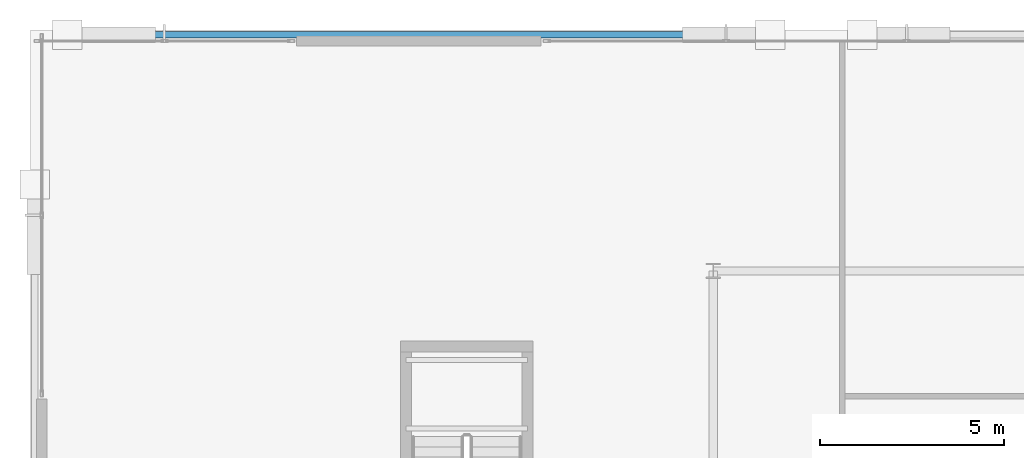
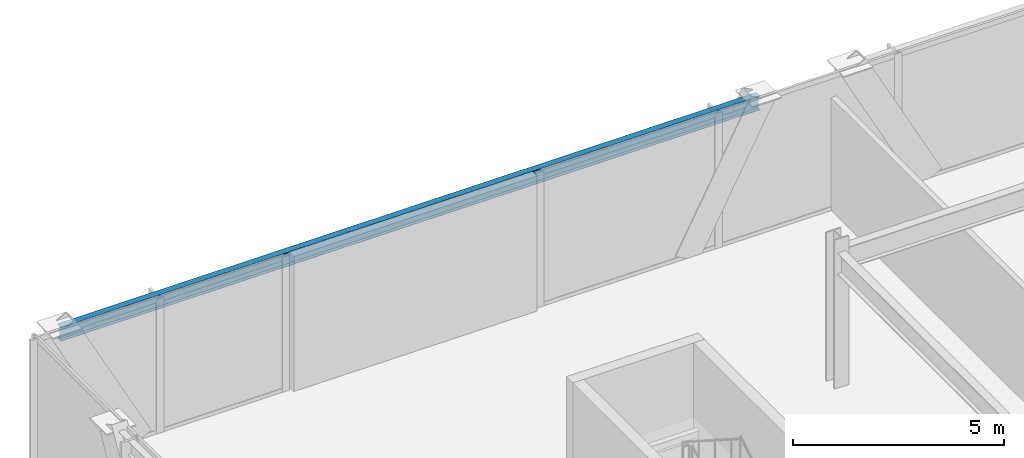
# One storey, part 27 of 46: 1 beam.
"""IFC4 building model written with IfcOpenShell, lengths in metres."""

from ifc_helpers import new_model, si_unit, direction, frame, origin, origin_2d, place, context, subcontext, project, spatial, i_section, extrude, material, material_profile, profile_set, type_object, element, save


model = new_model("IFC4")

# Units and contexts
model_context = context("Model", 3, precision=1e-05, world=origin(), true_north=direction((0.0, 1.0)))
body_context = subcontext(model_context, "Body", "Model", "MODEL_VIEW")
ifc_project = project(units=[si_unit("LENGTHUNIT", "METRE"), si_unit("AREAUNIT", "SQUARE_METRE"), si_unit("VOLUMEUNIT", "CUBIC_METRE"), si_unit("PLANEANGLEUNIT", "RADIAN"), si_unit("MASSUNIT", "GRAM", prefix="KILO")], contexts=[model_context])

# Site, building, storey
site_placement = place(None, origin())
site = spatial("IfcSite", under=ifc_project, at=site_placement, CompositionType="ELEMENT")
building_placement = place(site_placement, origin())
building = spatial("IfcBuilding", under=site, at=building_placement, Name="Orvanel Arch Residences", CompositionType="ELEMENT")
storey_placement = place(building_placement, frame((0.0, 0.0, 14.10009765625)))
storey = spatial("IfcBuildingStorey", under=building, at=storey_placement, Name="L03", CompositionType="ELEMENT", Elevation=14.10009765625)

# Beam
ifc_material = material(Name="Structural steel AS/NZS 3679.1 Grade 300 (300 MPa)", Category="steel")
ifc_material_profile = material_profile(ifc_material, i_section(OverallWidth=0.177978515625, OverallDepth=0.406005859375, WebThickness=0.0078125, FlangeThickness=0.0126953125, at=origin_2d()), Name="410UB59.7")
ifc_profile_set = profile_set([ifc_material_profile], Name="Structural steel AS/NZS 3679.1 Grade 300 (300 MPa)")
beam_type = type_object("IfcBeamType", Name="OB-410UB-EXT", PredefinedType="SPANDREL", material=ifc_profile_set)
beam_placement = place(storey_placement, frame((2.25, 54.419921875, 3.697021484375), z_axis=(1.0, 0.0, 0.0), x_axis=(0.0, 1.0, 0.0)))
element("IfcBeam", 1, at=beam_placement, inside=storey, type_object=beam_type, Name="L03 Podium V-Frame Collector Spandrel Beam N1", PredefinedType="SPANDREL", context=body_context, shape_type="SweptSolid", body=[
    extrude(i_section(OverallWidth=0.177978515625, OverallDepth=0.406005859375, WebThickness=0.0078125, FlangeThickness=0.0126953125, at=origin_2d()), origin(), (0.0, 0.0, 1.0), 19.10009765625),
])

save(model, "model.ifc")
